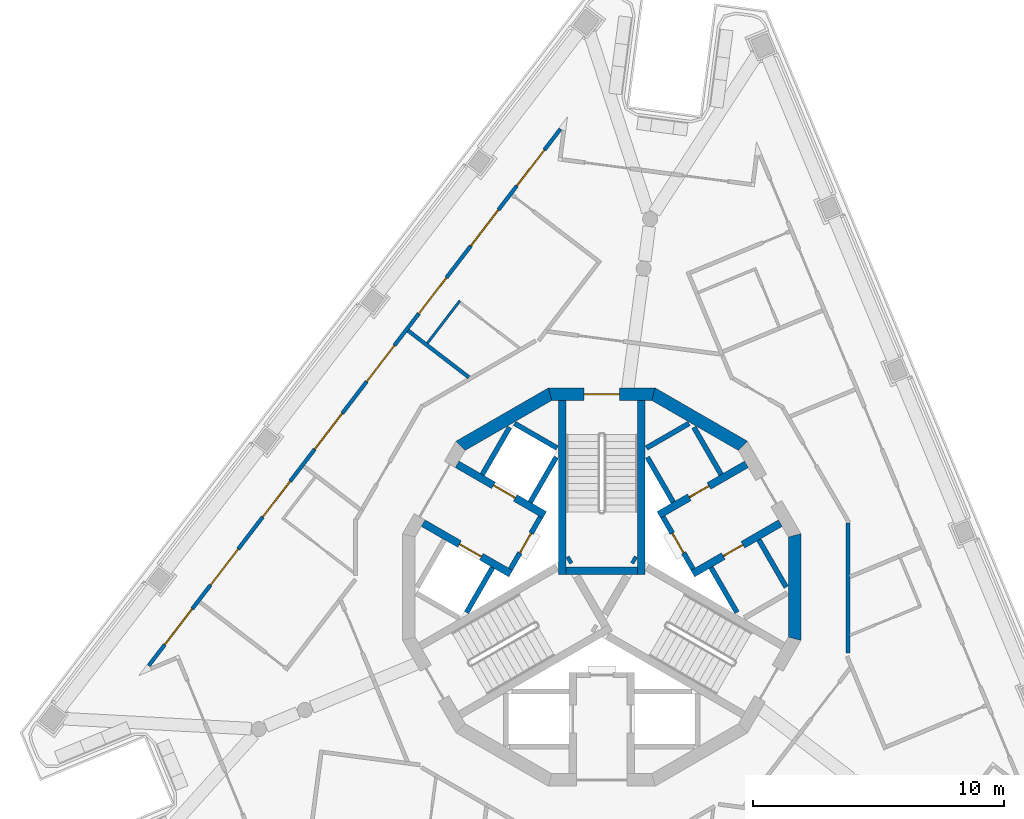
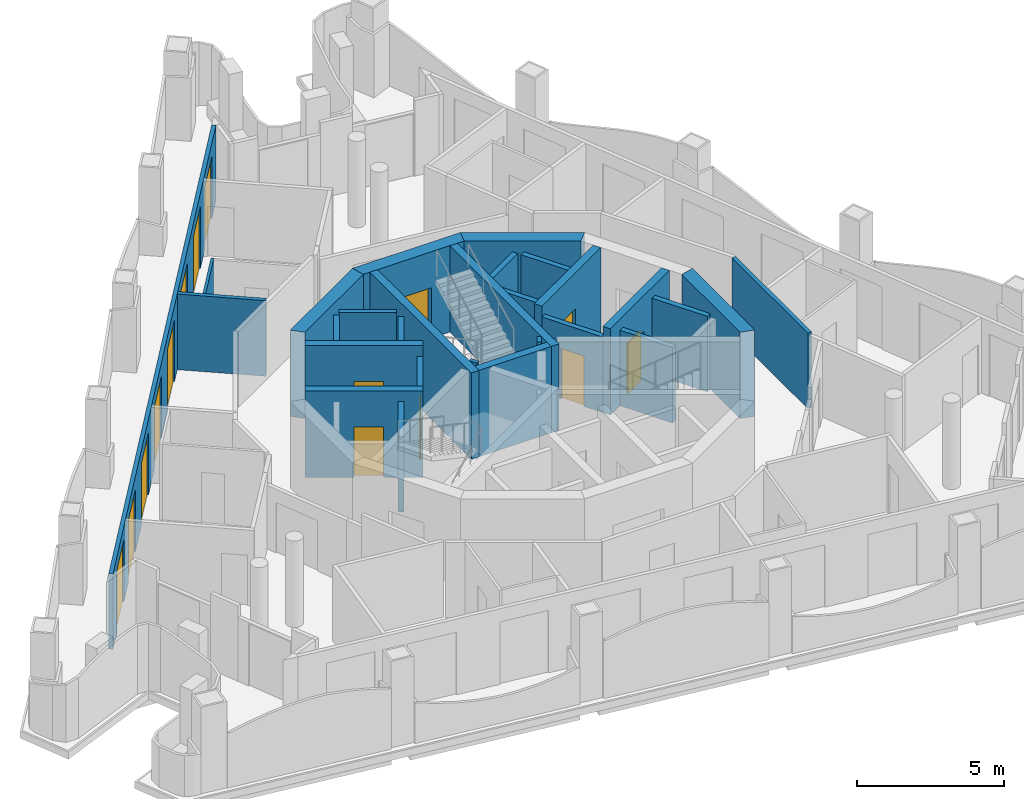
# One storey, part 4 of 12: 28 walls, 15 doors, 15 openings.
"""IFC4 building model written with IfcOpenShell, lengths in metres."""

from ifc_helpers import new_model, si_unit, direction, frame, frame_2d, origin, place, context, subcontext, project, spatial, polyline, rectangle, outline, extrude, material, layer, layer_set, type_object, element, fill, save


model = new_model("IFC4")

# Units and contexts
model_context = context("Model", 3, precision=1e-05, world=origin(), true_north=direction((0.0, 1.0)))
body_context = subcontext(model_context, "Body", "Model", "MODEL_VIEW")
ifc_project = project(units=[si_unit("LENGTHUNIT", "METRE"), si_unit("AREAUNIT", "SQUARE_METRE"), si_unit("VOLUMEUNIT", "CUBIC_METRE"), si_unit("PLANEANGLEUNIT", "RADIAN"), si_unit("MASSUNIT", "GRAM", prefix="KILO")], contexts=[model_context])

# Site, building, storey
site_placement = place(None, origin())
site = spatial("IfcSite", under=ifc_project, at=site_placement, CompositionType="ELEMENT")
building_placement = place(site_placement, origin())
building = spatial("IfcBuilding", under=site, at=building_placement, Name="Trine Commons Tower", CompositionType="ELEMENT")
storey_placement = place(building_placement, frame((0.0, 0.0, 297.0)))
storey = spatial("IfcBuildingStorey", under=building, at=storey_placement, Name="L78", CompositionType="ELEMENT", Elevation=297.0)

# Wall, openings, doors
ifc_material_1 = material(Name="Aluminium-framed insulated wall panel", Category="aluminium")
ifc_layer_1 = layer(ifc_material_1, 0.14990234375)
ifc_layer_set_1 = layer_set([ifc_layer_1], Name="Aluminium-framed insulated wall panel")
wall_type_1 = type_object("IfcWallType", Name="Glazed frame wall 150, EI 60", PredefinedType="SOLIDWALL", material=ifc_layer_set_1)
wall_1_placement = place(storey_placement, frame((61.8876953125, 59.251708984375, 0.0), z_axis=(0.0, 0.0, 1.0), x_axis=(0.608757974151, 0.793355991284, 0.0)))
wall_1 = element("IfcWall", 1, at=wall_1_placement, inside=storey, type_object=wall_type_1, Name="Glazed frame wall F1", PredefinedType="SOLIDWALL", context=body_context, shape_type="SweptSolid", body=[
    extrude(outline(polyline([(0.1494140625, 0.074951171875), (0.1494140625, -0.074951171875), (27.056884765625, -0.074951171875), (27.056884765625, 0.074951171875), (0.1494140625, 0.074951171875)])), origin(), (0.0, 0.0, 1.0), 3.14990234375),
])
opening_1_placement = place(wall_1_placement, frame((1.200439453125, 0.0, 0.0)))
opening_1 = element("IfcOpeningElement", 2, at=opening_1_placement, cuts=wall_1, Name="Opening BD-8F1-01", PredefinedType="OPENING", context=body_context, shape_type="SweptSolid", body=[
    extrude(rectangle(XDim=1.800048828125, YDim=2.60009765625, at=frame_2d((0.89990234375, 1.300048828125))), frame((0.0, 0.0849609375, 0.0), z_axis=(0.0, -1.0, 0.0), x_axis=(1.0, 0.0, 0.0)), (0.0, 0.0, 1.0), 0.169921875),
])
opening_2_placement = place(wall_1_placement, frame((4.201171875, 0.0, 0.0)))
opening_2 = element("IfcOpeningElement", 3, at=opening_2_placement, cuts=wall_1, Name="Opening BD-8F1-02", PredefinedType="OPENING", context=body_context, shape_type="SweptSolid", body=[
    extrude(rectangle(XDim=1.800048828125, YDim=2.60009765625, at=frame_2d((0.89990234375, 1.300048828125))), frame((0.0, 0.0849609375, 0.0), z_axis=(0.0, -1.0, 0.0), x_axis=(1.0, 0.0, 0.0)), (0.0, 0.0, 1.0), 0.169921875),
])
opening_3_placement = place(wall_1_placement, frame((7.60205078125, 0.0, 0.0)))
opening_3 = element("IfcOpeningElement", 4, at=opening_3_placement, cuts=wall_1, Name="Opening BD-8F1-03", PredefinedType="OPENING", context=body_context, shape_type="SweptSolid", body=[
    extrude(rectangle(XDim=1.800048828125, YDim=2.60009765625, at=frame_2d((0.89990234375, 1.300048828125))), frame((0.0, 0.0849609375, 0.0), z_axis=(0.0, -1.0, 0.0), x_axis=(1.0, 0.0, 0.0)), (0.0, 0.0, 1.0), 0.169921875),
])
opening_4_placement = place(wall_1_placement, frame((11.002685546875, 0.0, 0.0)))
opening_4 = element("IfcOpeningElement", 5, at=opening_4_placement, cuts=wall_1, Name="Opening BD-8F1-04", PredefinedType="OPENING", context=body_context, shape_type="SweptSolid", body=[
    extrude(rectangle(XDim=1.800048828125, YDim=2.60009765625, at=frame_2d((0.89990234375, 1.300048828125))), frame((0.0, 0.0849609375, 0.0), z_axis=(0.0, -1.0, 0.0), x_axis=(1.0, 0.0, 0.0)), (0.0, 0.0, 1.0), 0.169921875),
])
opening_5_placement = place(wall_1_placement, frame((14.403564453125, 0.0, 0.0)))
opening_5 = element("IfcOpeningElement", 6, at=opening_5_placement, cuts=wall_1, Name="Opening BD-8F1-05", PredefinedType="OPENING", context=body_context, shape_type="SweptSolid", body=[
    extrude(rectangle(XDim=1.800048828125, YDim=2.60009765625, at=frame_2d((0.89990234375, 1.300048828125))), frame((0.0, 0.0849609375, 0.0), z_axis=(0.0, -1.0, 0.0), x_axis=(1.0, 0.0, 0.0)), (0.0, 0.0, 1.0), 0.169921875),
])
opening_6_placement = place(wall_1_placement, frame((17.804443359375, 0.0, 0.0)))
opening_6 = element("IfcOpeningElement", 7, at=opening_6_placement, cuts=wall_1, Name="Opening BD-8F1-06", PredefinedType="OPENING", context=body_context, shape_type="SweptSolid", body=[
    extrude(rectangle(XDim=1.800048828125, YDim=2.60009765625, at=frame_2d((0.89990234375, 1.300048828125))), frame((0.0, 0.0849609375, 0.0), z_axis=(0.0, -1.0, 0.0), x_axis=(1.0, 0.0, 0.0)), (0.0, 0.0, 1.0), 0.169921875),
])
opening_7_placement = place(wall_1_placement, frame((21.205078125, 0.0, 0.0)))
opening_7 = element("IfcOpeningElement", 8, at=opening_7_placement, cuts=wall_1, Name="Opening BD-8F1-07", PredefinedType="OPENING", context=body_context, shape_type="SweptSolid", body=[
    extrude(rectangle(XDim=1.800048828125, YDim=2.60009765625, at=frame_2d((0.89990234375, 1.300048828125))), frame((0.0, 0.0849609375, 0.0), z_axis=(0.0, -1.0, 0.0), x_axis=(1.0, 0.0, 0.0)), (0.0, 0.0, 1.0), 0.169921875),
])
opening_8_placement = place(wall_1_placement, frame((24.2060546875, 0.0, 0.0)))
opening_8 = element("IfcOpeningElement", 9, at=opening_8_placement, cuts=wall_1, Name="Opening BD-8F1-08", PredefinedType="OPENING", context=body_context, shape_type="SweptSolid", body=[
    extrude(rectangle(XDim=1.800048828125, YDim=2.60009765625, at=frame_2d((0.89990234375, 1.300048828125))), frame((0.0, 0.0849609375, 0.0), z_axis=(0.0, -1.0, 0.0), x_axis=(1.0, 0.0, 0.0)), (0.0, 0.0, 1.0), 0.169921875),
])
ifc_material_2 = material(Name="Anodised aluminium frame with double glazing", Category="aluminium")
door_type_1 = type_object("IfcDoorType", Name="Sliding loggia door 1800x2600", OperationType="SLIDING_TO_LEFT", PredefinedType="DOOR", material=ifc_material_2)
door_1_placement = place(opening_1_placement, origin())
door_1 = element("IfcDoor", 10, at=door_1_placement, inside=storey, type_object=door_type_1, Name="Loggia door F1 1", OperationType="SLIDING_TO_LEFT", OverallHeight=2.60009765625, OverallWidth=1.800048828125, PredefinedType="DOOR", context=body_context, shape_type="SweptSolid", body=[
    extrude(rectangle(XDim=1.800048828125, YDim=2.60009765625, at=frame_2d((0.89990234375, 1.300048828125))), frame((0.0, 0.02490234375, 0.0), z_axis=(0.0, -1.0, 0.0), x_axis=(1.0, 0.0, 0.0)), (0.0, 0.0, 1.0), 0.050048828125),
])
fill(opening_1, door_1)
door_2_placement = place(opening_2_placement, origin())
door_2 = element("IfcDoor", 11, at=door_2_placement, inside=storey, type_object=door_type_1, Name="Loggia door F1 2", OperationType="SLIDING_TO_LEFT", OverallHeight=2.60009765625, OverallWidth=1.800048828125, PredefinedType="DOOR", context=body_context, shape_type="SweptSolid", body=[
    extrude(rectangle(XDim=1.800048828125, YDim=2.60009765625, at=frame_2d((0.89990234375, 1.300048828125))), frame((0.0, 0.02490234375, 0.0), z_axis=(0.0, -1.0, 0.0), x_axis=(1.0, 0.0, 0.0)), (0.0, 0.0, 1.0), 0.050048828125),
])
fill(opening_2, door_2)
door_3_placement = place(opening_3_placement, origin())
door_3 = element("IfcDoor", 12, at=door_3_placement, inside=storey, type_object=door_type_1, Name="Loggia door F1 3", OperationType="SLIDING_TO_LEFT", OverallHeight=2.60009765625, OverallWidth=1.800048828125, PredefinedType="DOOR", context=body_context, shape_type="SweptSolid", body=[
    extrude(rectangle(XDim=1.800048828125, YDim=2.60009765625, at=frame_2d((0.89990234375, 1.300048828125))), frame((0.0, 0.02490234375, 0.0), z_axis=(0.0, -1.0, 0.0), x_axis=(1.0, 0.0, 0.0)), (0.0, 0.0, 1.0), 0.050048828125),
])
fill(opening_3, door_3)
door_4_placement = place(opening_4_placement, origin())
door_4 = element("IfcDoor", 13, at=door_4_placement, inside=storey, type_object=door_type_1, Name="Loggia door F1 4", OperationType="SLIDING_TO_LEFT", OverallHeight=2.60009765625, OverallWidth=1.800048828125, PredefinedType="DOOR", context=body_context, shape_type="SweptSolid", body=[
    extrude(rectangle(XDim=1.800048828125, YDim=2.60009765625, at=frame_2d((0.89990234375, 1.300048828125))), frame((0.0, 0.02490234375, 0.0), z_axis=(0.0, -1.0, 0.0), x_axis=(1.0, 0.0, 0.0)), (0.0, 0.0, 1.0), 0.050048828125),
])
fill(opening_4, door_4)
door_5_placement = place(opening_5_placement, origin())
door_5 = element("IfcDoor", 14, at=door_5_placement, inside=storey, type_object=door_type_1, Name="Loggia door F1 5", OperationType="SLIDING_TO_LEFT", OverallHeight=2.60009765625, OverallWidth=1.800048828125, PredefinedType="DOOR", context=body_context, shape_type="SweptSolid", body=[
    extrude(rectangle(XDim=1.800048828125, YDim=2.60009765625, at=frame_2d((0.89990234375, 1.300048828125))), frame((0.0, 0.02490234375, 0.0), z_axis=(0.0, -1.0, 0.0), x_axis=(1.0, 0.0, 0.0)), (0.0, 0.0, 1.0), 0.050048828125),
])
fill(opening_5, door_5)
door_6_placement = place(opening_6_placement, origin())
door_6 = element("IfcDoor", 15, at=door_6_placement, inside=storey, type_object=door_type_1, Name="Loggia door F1 6", OperationType="SLIDING_TO_LEFT", OverallHeight=2.60009765625, OverallWidth=1.800048828125, PredefinedType="DOOR", context=body_context, shape_type="SweptSolid", body=[
    extrude(rectangle(XDim=1.800048828125, YDim=2.60009765625, at=frame_2d((0.89990234375, 1.300048828125))), frame((0.0, 0.02490234375, 0.0), z_axis=(0.0, -1.0, 0.0), x_axis=(1.0, 0.0, 0.0)), (0.0, 0.0, 1.0), 0.050048828125),
])
fill(opening_6, door_6)
door_7_placement = place(opening_7_placement, origin())
door_7 = element("IfcDoor", 16, at=door_7_placement, inside=storey, type_object=door_type_1, Name="Loggia door F1 7", OperationType="SLIDING_TO_LEFT", OverallHeight=2.60009765625, OverallWidth=1.800048828125, PredefinedType="DOOR", context=body_context, shape_type="SweptSolid", body=[
    extrude(rectangle(XDim=1.800048828125, YDim=2.60009765625, at=frame_2d((0.89990234375, 1.300048828125))), frame((0.0, 0.02490234375, 0.0), z_axis=(0.0, -1.0, 0.0), x_axis=(1.0, 0.0, 0.0)), (0.0, 0.0, 1.0), 0.050048828125),
])
fill(opening_7, door_7)
door_8_placement = place(opening_8_placement, origin())
door_8 = element("IfcDoor", 17, at=door_8_placement, inside=storey, type_object=door_type_1, Name="Loggia door F1 8", OperationType="SLIDING_TO_LEFT", OverallHeight=2.60009765625, OverallWidth=1.800048828125, PredefinedType="DOOR", context=body_context, shape_type="SweptSolid", body=[
    extrude(rectangle(XDim=1.800048828125, YDim=2.60009765625, at=frame_2d((0.89990234375, 1.300048828125))), frame((0.0, 0.02490234375, 0.0), z_axis=(0.0, -1.0, 0.0), x_axis=(1.0, 0.0, 0.0)), (0.0, 0.0, 1.0), 0.050048828125),
])
fill(opening_8, door_8)

# Wall, opening, door
ifc_material_3 = material(Name="Fire-rated gypsum shaft wall system")
ifc_layer_2 = layer(ifc_material_3, 0.199951171875)
ifc_layer_set_2 = layer_set([ifc_layer_2], Name="Fire-rated gypsum shaft wall system")
wall_type_2 = type_object("IfcWallType", Name="Lobby end wall 200 mm, EI 120", PredefinedType="PARTITIONING", material=ifc_layer_set_2)
wall_2_placement = place(storey_placement, frame((77.569091796875, 65.2890625, 0.0), z_axis=(0.0, 0.0, 1.0), x_axis=(-0.50012165622, -0.865955154139, 0.0)))
wall_2 = element("IfcWall", 18, at=wall_2_placement, inside=storey, type_object=wall_type_2, Name="Lobby end wall L78", PredefinedType="PARTITIONING", context=body_context, shape_type="SweptSolid", body=[
    extrude(rectangle(XDim=2.39990234375, YDim=0.199951171875, at=frame_2d((1.199951171875, 0.0))), origin(), (0.0, 0.0, 1.0), 3.14990234375),
])
opening_9_placement = place(wall_2_placement, frame((0.749755859375, 0.0, 0.0)))
opening_9 = element("IfcOpeningElement", 19, at=opening_9_placement, cuts=wall_2, Name="Opening K18.07", PredefinedType="OPENING", context=body_context, shape_type="SweptSolid", body=[
    extrude(rectangle(XDim=0.89990234375, YDim=2.10009765625, at=frame_2d((0.449951171875, 1.050048828125))), frame((0.0, 0.10986328125, 0.0), z_axis=(0.0, -1.0, 0.0), x_axis=(1.0, 0.0, 0.0)), (0.0, 0.0, 1.0), 0.219970703125),
])
ifc_material_4 = material(Name="Steel door leaf, fire-rated", Category="steel")
door_type_2 = type_object("IfcDoorType", Name="Riser access door, single leaf 900 x 2100, FD60", OperationType="SINGLE_SWING_LEFT", PredefinedType="DOOR", material=ifc_material_4)
door_9_placement = place(opening_9_placement, frame((0.89990234375, 0.0, 0.0), z_axis=(0.0, 0.0, 1.0), x_axis=(-1.0, 0.0, 0.0)))
door_9 = element("IfcDoor", 20, at=door_9_placement, inside=storey, type_object=door_type_2, Name="Riser door, Mechanical riser L78", OperationType="SINGLE_SWING_RIGHT", OverallHeight=2.10009765625, OverallWidth=0.89990234375, PredefinedType="DOOR", context=body_context, shape_type="SweptSolid", body=[
    extrude(rectangle(XDim=0.89990234375, YDim=2.10009765625, at=frame_2d((0.449951171875, 1.050048828125))), frame((0.0, 0.02490234375, 0.0), z_axis=(0.0, -1.0, 0.0), x_axis=(1.0, 0.0, 0.0)), (0.0, 0.0, 1.0), 0.050048828125),
])
fill(opening_9, door_9)

wall_3_placement = place(storey_placement, frame((83.631103515625, 63.2109375, 0.0), z_axis=(0.0, 0.0, 1.0), x_axis=(-0.50012165622, 0.865955154139, 0.0)))
wall_3 = element("IfcWall", 21, at=wall_3_placement, inside=storey, type_object=wall_type_2, Name="Lobby end wall L78", PredefinedType="PARTITIONING", context=body_context, shape_type="SweptSolid", body=[
    extrude(rectangle(XDim=2.39990234375, YDim=0.199951171875, at=frame_2d((1.199951171875, 0.0))), origin(), (0.0, 0.0, 1.0), 3.14990234375),
])
opening_10_placement = place(wall_3_placement, frame((0.749755859375, 0.0, 0.0)))
opening_10 = element("IfcOpeningElement", 22, at=opening_10_placement, cuts=wall_3, Name="Opening K18.05", PredefinedType="OPENING", context=body_context, shape_type="SweptSolid", body=[
    extrude(rectangle(XDim=0.89990234375, YDim=2.10009765625, at=frame_2d((0.449951171875, 1.050048828125))), frame((0.0, 0.10986328125, 0.0), z_axis=(0.0, -1.0, 0.0), x_axis=(1.0, 0.0, 0.0)), (0.0, 0.0, 1.0), 0.219970703125),
])
door_10_placement = place(opening_10_placement, frame((0.89990234375, 0.0, 0.0), z_axis=(0.0, 0.0, 1.0), x_axis=(-1.0, 0.0, 0.0)))
door_10 = element("IfcDoor", 23, at=door_10_placement, inside=storey, type_object=door_type_2, Name="Riser door, Electrical riser L78", OperationType="SINGLE_SWING_LEFT", OverallHeight=2.10009765625, OverallWidth=0.89990234375, PredefinedType="DOOR", context=body_context, shape_type="SweptSolid", body=[
    extrude(rectangle(XDim=0.89990234375, YDim=2.10009765625, at=frame_2d((0.449951171875, 1.050048828125))), frame((0.0, 0.02490234375, 0.0), z_axis=(0.0, -1.0, 0.0), x_axis=(1.0, 0.0, 0.0)), (0.0, 0.0, 1.0), 0.050048828125),
])
fill(opening_10, door_10)

ifc_material_5 = material(Name="Concrete C50/60", Category="concrete")
ifc_layer_3 = layer(ifc_material_5, 0.300048828125)
ifc_layer_set_3 = layer_set([ifc_layer_3], Name="Concrete C50/60")
wall_type_3 = type_object("IfcWallType", Name="RC shear wall 300 mm, C50/60", PredefinedType="SHEAR", material=ifc_layer_set_3)
wall_4_placement = place(storey_placement, frame((76.381103515625, 63.031005859375, 0.0), z_axis=(0.0, 0.0, 1.0), x_axis=(-0.866071331441, 0.499920442526, 0.0)))
wall_4 = element("IfcWall", 24, at=wall_4_placement, inside=storey, type_object=wall_type_3, Name="Core cross wall SWD-01 L78", PredefinedType="SHEAR", context=body_context, shape_type="SweptSolid", body=[
    extrude(rectangle(XDim=4.020751953125, YDim=0.300048828125, at=frame_2d((2.01025390625, 0.0))), origin(), (0.0, 0.0, 1.0), 3.60009765625),
])
opening_11_placement = place(wall_4_placement, frame((1.350341796875, 0.0, 0.0)))
opening_11 = element("IfcOpeningElement", 25, at=opening_11_placement, cuts=wall_4, Name="Opening LD7", PredefinedType="OPENING", context=body_context, shape_type="SweptSolid", body=[
    extrude(rectangle(XDim=1.0, YDim=2.10009765625, at=frame_2d((0.5, 1.050048828125))), frame((0.0, 0.159912109375, 0.0), z_axis=(0.0, -1.0, 0.0), x_axis=(1.0, 0.0, 0.0)), (0.0, 0.0, 1.0), 0.320068359375),
])
ifc_material_6 = material(Name="Stainless steel sliding door leaves", Category="steel")
door_type_3 = type_object("IfcDoorType", Name="Lift landing door, centre-opening sliding 1000 x 2100, FD90", OperationType="DOUBLE_DOOR_SLIDING", PredefinedType="DOOR", material=ifc_material_6)
door_11_placement = place(opening_11_placement, origin())
door_11 = element("IfcDoor", 26, at=door_11_placement, inside=storey, type_object=door_type_3, Name="Lift landing door HR3 L78", OperationType="DOUBLE_DOOR_SLIDING", OverallHeight=2.10009765625, OverallWidth=1.0, PredefinedType="DOOR", context=body_context, shape_type="SweptSolid", body=[
    extrude(rectangle(XDim=1.0, YDim=2.10009765625, at=frame_2d((0.5, 1.050048828125))), frame((0.0, 0.02490234375, 0.0), z_axis=(0.0, -1.0, 0.0), x_axis=(1.0, 0.0, 0.0)), (0.0, 0.0, 1.0), 0.050048828125),
])
fill(opening_11, door_11)

wall_5_placement = place(storey_placement, frame((77.73095703125, 65.368896484375, 0.0), z_axis=(0.0, 0.0, 1.0), x_axis=(-0.866056154689, 0.499946734088, 0.0)))
wall_5 = element("IfcWall", 27, at=wall_5_placement, inside=storey, type_object=wall_type_3, Name="Core cross wall SWD-02 L78", PredefinedType="SHEAR", context=body_context, shape_type="SweptSolid", body=[
    extrude(rectangle(XDim=4.0205078125, YDim=0.300048828125, at=frame_2d((2.01025390625, 0.0))), origin(), (0.0, 0.0, 1.0), 3.60009765625),
])
opening_12_placement = place(wall_5_placement, frame((1.350341796875, 0.0, 0.0)))
opening_12 = element("IfcOpeningElement", 28, at=opening_12_placement, cuts=wall_5, Name="Opening LD8", PredefinedType="OPENING", context=body_context, shape_type="SweptSolid", body=[
    extrude(rectangle(XDim=1.0, YDim=2.10009765625, at=frame_2d((0.5, 1.050048828125))), frame((0.0, 0.159912109375, 0.0), z_axis=(0.0, -1.0, 0.0), x_axis=(1.0, 0.0, 0.0)), (0.0, 0.0, 1.0), 0.320068359375),
])
door_12_placement = place(opening_12_placement, origin())
door_12 = element("IfcDoor", 29, at=door_12_placement, inside=storey, type_object=door_type_3, Name="Lift landing door HR4 L78", OperationType="DOUBLE_DOOR_SLIDING", OverallHeight=2.10009765625, OverallWidth=1.0, PredefinedType="DOOR", context=body_context, shape_type="SweptSolid", body=[
    extrude(rectangle(XDim=1.0, YDim=2.10009765625, at=frame_2d((0.5, 1.050048828125))), frame((0.0, 0.02490234375, 0.0), z_axis=(0.0, -1.0, 0.0), x_axis=(1.0, 0.0, 0.0)), (0.0, 0.0, 1.0), 0.050048828125),
])
fill(opening_12, door_12)

wall_6_placement = place(storey_placement, frame((82.26904296875, 65.368896484375, 0.0), z_axis=(0.0, 0.0, 1.0), x_axis=(0.866056154689, 0.499946734088, 0.0)))
wall_6 = element("IfcWall", 30, at=wall_6_placement, inside=storey, type_object=wall_type_3, Name="Core cross wall SWD-05 L78", PredefinedType="SHEAR", context=body_context, shape_type="SweptSolid", body=[
    extrude(rectangle(XDim=4.0205078125, YDim=0.300048828125, at=frame_2d((2.01025390625, 0.0))), origin(), (0.0, 0.0, 1.0), 3.60009765625),
])
opening_13_placement = place(wall_6_placement, frame((1.400390625, 0.0, 0.0)))
opening_13 = element("IfcOpeningElement", 31, at=opening_13_placement, cuts=wall_6, Name="Opening K18.10", PredefinedType="OPENING", context=body_context, shape_type="SweptSolid", body=[
    extrude(rectangle(XDim=0.89990234375, YDim=2.10009765625, at=frame_2d((0.449951171875, 1.050048828125))), frame((0.0, 0.159912109375, 0.0), z_axis=(0.0, -1.0, 0.0), x_axis=(1.0, 0.0, 0.0)), (0.0, 0.0, 1.0), 0.320068359375),
])
door_type_4 = type_object("IfcDoorType", Name="Core room door, single leaf 900 x 2100, FD30S", OperationType="SINGLE_SWING_LEFT", PredefinedType="DOOR", material=ifc_material_4)
door_13_placement = place(opening_13_placement, origin())
door_13 = element("IfcDoor", 32, at=door_13_placement, inside=storey, type_object=door_type_4, Name="Door to Linen store L78", OperationType="SINGLE_SWING_LEFT", OverallHeight=2.10009765625, OverallWidth=0.89990234375, PredefinedType="DOOR", context=body_context, shape_type="SweptSolid", body=[
    extrude(rectangle(XDim=0.89990234375, YDim=2.10009765625, at=frame_2d((0.449951171875, 1.050048828125))), frame((0.0, 0.02490234375, 0.0), z_axis=(0.0, -1.0, 0.0), x_axis=(1.0, 0.0, 0.0)), (0.0, 0.0, 1.0), 0.050048828125),
])
fill(opening_13, door_13)

wall_7_placement = place(storey_placement, frame((83.618896484375, 63.031005859375, 0.0), z_axis=(0.0, 0.0, 1.0), x_axis=(0.866071331441, 0.499920442526, 0.0)))
wall_7 = element("IfcWall", 33, at=wall_7_placement, inside=storey, type_object=wall_type_3, Name="Core cross wall SWD-06 L78", PredefinedType="SHEAR", context=body_context, shape_type="SweptSolid", body=[
    extrude(rectangle(XDim=4.020751953125, YDim=0.300048828125, at=frame_2d((2.01025390625, 0.0))), origin(), (0.0, 0.0, 1.0), 3.60009765625),
])
opening_14_placement = place(wall_7_placement, frame((1.400390625, 0.0, 0.0)))
opening_14 = element("IfcOpeningElement", 34, at=opening_14_placement, cuts=wall_7, Name="Opening K18.11", PredefinedType="OPENING", context=body_context, shape_type="SweptSolid", body=[
    extrude(rectangle(XDim=0.89990234375, YDim=2.10009765625, at=frame_2d((0.449951171875, 1.050048828125))), frame((0.0, 0.159912109375, 0.0), z_axis=(0.0, -1.0, 0.0), x_axis=(1.0, 0.0, 0.0)), (0.0, 0.0, 1.0), 0.320068359375),
])
door_14_placement = place(opening_14_placement, frame((0.89990234375, 0.0, 0.0), z_axis=(0.0, 0.0, 1.0), x_axis=(-1.0, 0.0, 0.0)))
door_14 = element("IfcDoor", 35, at=door_14_placement, inside=storey, type_object=door_type_4, Name="Door to Pantry L78", OperationType="SINGLE_SWING_LEFT", OverallHeight=2.10009765625, OverallWidth=0.89990234375, PredefinedType="DOOR", context=body_context, shape_type="SweptSolid", body=[
    extrude(rectangle(XDim=0.89990234375, YDim=2.10009765625, at=frame_2d((0.449951171875, 1.050048828125))), frame((0.0, 0.02490234375, 0.0), z_axis=(0.0, -1.0, 0.0), x_axis=(1.0, 0.0, 0.0)), (0.0, 0.0, 1.0), 0.050048828125),
])
fill(opening_14, door_14)

# Walls
wall_8_placement = place(storey_placement, frame((78.425048828125, 63.0009765625, 0.0), z_axis=(0.0, 0.0, 1.0), x_axis=(0.0, 1.0, 0.0)))
element("IfcWall", 36, at=wall_8_placement, inside=storey, type_object=wall_type_3, Name="Core cross wall SWD-08 L78", PredefinedType="SHEAR", context=body_context, shape_type="SweptSolid", body=[
    extrude(rectangle(XDim=6.919921875, YDim=0.300048828125, at=frame_2d((3.4599609375, 0.0))), origin(), (0.0, 0.0, 1.0), 3.60009765625),
])
for number, where, z_axis, x_axis, name in (
    (37, (78.779052734375, 63.614013671875, 0.0), (0.0, 0.0, 1.0), (-0.867737973955, -0.497021939713, 0.0), "Core cross wall SWD-09 L78"),
    (38, (81.220947265625, 63.614013671875, 0.0), (0.0, 0.0, 1.0), (0.867737973955, -0.497021939713, 0.0), "Core cross wall SWD-15 L78"),
):
    element("IfcWall", number, at=place(storey_placement, frame(where, z_axis=z_axis, x_axis=x_axis)), inside=storey, type_object=wall_type_3, Name=name, PredefinedType="SHEAR", context=body_context, shape_type="SweptSolid", body=[
        extrude(rectangle(XDim=0.14892578125, YDim=0.300048828125, at=frame_2d((0.074462890625, 0.0))), origin(), (0.0, 0.0, 1.0), 3.60009765625),
    ])
wall_9_placement = place(storey_placement, frame((81.425048828125, 63.15087890625, 0.0), z_axis=(0.0, 0.0, 1.0), x_axis=(-1.0, 0.0, 0.0)))
element("IfcWall", 39, at=wall_9_placement, inside=storey, type_object=wall_type_3, Name="Core cross wall SWD-16 L78", PredefinedType="SHEAR", context=body_context, shape_type="SweptSolid", body=[
    extrude(rectangle(XDim=2.85009765625, YDim=0.300048828125, at=frame_2d((1.425048828125, 0.0))), origin(), (0.0, 0.0, 1.0), 3.60009765625),
])
wall_10_placement = place(storey_placement, frame((81.574951171875, 63.0009765625, 0.0), z_axis=(0.0, 0.0, 1.0), x_axis=(0.0, 1.0, 0.0)))
element("IfcWall", 40, at=wall_10_placement, inside=storey, type_object=wall_type_3, Name="Core cross wall SWD-17 L78", PredefinedType="SHEAR", context=body_context, shape_type="SweptSolid", body=[
    extrude(rectangle(XDim=6.919921875, YDim=0.300048828125, at=frame_2d((3.4599609375, 0.0))), origin(), (0.0, 0.0, 1.0), 3.60009765625),
])
ifc_layer_4 = layer(ifc_material_5, 0.5)
ifc_layer_set_4 = layer_set([ifc_layer_4], Name="Concrete C50/60")
wall_type_4 = type_object("IfcWallType", Name="RC shear wall 500 mm, C50/60", PredefinedType="SHEAR", material=ifc_layer_set_4)
for number, where, z_axis, x_axis, name in (
    (41, (87.670654296875, 60.377685546875, 0.0), (0.0, 0.0, 1.0), (0.0, 1.0, 0.0), "Core wall CWH-01 L78"),
    (42, (85.67333984375, 68.081787109375, 0.0), (0.0, 0.0, 1.0), (-0.866029463428, 0.499992968425, 0.0), "Core wall CWH-03 L78"),
):
    element("IfcWall", number, at=place(storey_placement, frame(where, z_axis=z_axis, x_axis=x_axis)), inside=storey, type_object=wall_type_4, Name=name, PredefinedType="SHEAR", context=body_context, shape_type="SweptSolid", body=[
        extrude(outline(polyline([(0.0, -0.25), (4.24462890625, -0.25), (4.110595703125, 0.25), (0.134033203125, 0.25), (0.0, -0.25)])), origin(), (0.0, 0.0, 1.0), 3.60009765625),
    ])

# Wall, opening, door
wall_11_placement = place(storey_placement, frame((82.122314453125, 70.170654296875, 0.0), z_axis=(0.0, 0.0, 1.0), x_axis=(-1.0, 0.0, 0.0)))
wall_11 = element("IfcWall", 43, at=wall_11_placement, inside=storey, type_object=wall_type_4, Name="Core wall CWH-04 L78", PredefinedType="SHEAR", context=body_context, shape_type="SweptSolid", body=[
    extrude(outline(polyline([(0.0, -0.25), (4.24462890625, -0.25), (4.110595703125, 0.25), (0.134033203125, 0.25), (0.0, -0.25)])), origin(), (0.0, 0.0, 1.0), 3.60009765625),
])
opening_15_placement = place(wall_11_placement, frame((1.42236328125, 0.0, 0.0)))
opening_15 = element("IfcOpeningElement", 44, at=opening_15_placement, cuts=wall_11, Name="Opening K18.01", PredefinedType="OPENING", context=body_context, shape_type="SweptSolid", body=[
    extrude(rectangle(XDim=1.39990234375, YDim=2.10009765625, at=frame_2d((0.699951171875, 1.050048828125))), frame((0.0, 0.260009765625, 0.0), z_axis=(0.0, -1.0, 0.0), x_axis=(1.0, 0.0, 0.0)), (0.0, 0.0, 1.0), 0.52001953125),
])
ifc_material_7 = material(Name="Steel door leaves, fire-rated", Category="steel")
door_type_5 = type_object("IfcDoorType", Name="Stair door, double leaf 1400 x 2100, FD90", OperationType="DOUBLE_DOOR_SINGLE_SWING", PredefinedType="DOOR", material=ifc_material_7)
door_15_placement = place(opening_15_placement, origin())
door_15 = element("IfcDoor", 45, at=door_15_placement, inside=storey, type_object=door_type_5, Name="Stair door to Exit stair ST1D L78", OperationType="DOUBLE_DOOR_SINGLE_SWING", OverallHeight=2.10009765625, OverallWidth=1.39990234375, PredefinedType="DOOR", context=body_context, shape_type="SweptSolid", body=[
    extrude(rectangle(XDim=1.39990234375, YDim=2.10009765625, at=frame_2d((0.699951171875, 1.050048828125))), frame((0.0, 0.02490234375, 0.0), z_axis=(0.0, -1.0, 0.0), x_axis=(1.0, 0.0, 0.0)), (0.0, 0.0, 1.0), 0.050048828125),
])
fill(opening_15, door_15)

# Walls
wall_12_placement = place(storey_placement, frame((78.002685546875, 70.2041015625, 0.0), z_axis=(0.0, 0.0, 1.0), x_axis=(-0.866029463428, -0.499992968425, 0.0)))
element("IfcWall", 46, at=wall_12_placement, inside=storey, type_object=wall_type_4, Name="Core wall CWH-05 L78", PredefinedType="SHEAR", context=body_context, shape_type="SweptSolid", body=[
    extrude(outline(polyline([(0.0, -0.25), (4.24462890625, -0.25), (4.110595703125, 0.25), (0.134033203125, 0.25), (0.0, -0.25)])), origin(), (0.0, 0.0, 1.0), 3.60009765625),
])
ifc_layer_5 = layer(ifc_material_3, 0.199951171875)
ifc_layer_set_5 = layer_set([ifc_layer_5], Name="Fire-rated gypsum shaft wall system")
wall_type_5 = type_object("IfcWallType", Name="Shaft wall 200 mm, EI 120", PredefinedType="PARTITIONING", material=ifc_layer_set_5)
wall_13_placement = place(storey_placement, frame((75.2509765625, 66.97412109375, 0.0), z_axis=(0.0, 0.0, 1.0), x_axis=(0.500060114735, 0.865990693744, 0.0)))
element("IfcWall", 47, at=wall_13_placement, inside=storey, type_object=wall_type_5, Name="Shaft wall L78", PredefinedType="PARTITIONING", context=body_context, shape_type="SweptSolid", body=[
    extrude(rectangle(XDim=2.169677734375, YDim=0.199951171875, at=frame_2d((1.0849609375, 0.0))), origin(), (0.0, 0.0, 1.0), 3.14990234375),
])
wall_14_placement = place(storey_placement, frame((75.656005859375, 63.27587890625, 0.0), z_axis=(0.0, 0.0, 1.0), x_axis=(-0.500271688072, -0.86586848777, 0.0)))
element("IfcWall", 48, at=wall_14_placement, inside=storey, type_object=wall_type_5, Name="Shaft wall L78", PredefinedType="PARTITIONING", context=body_context, shape_type="SweptSolid", body=[
    extrude(rectangle(XDim=2.064697265625, YDim=0.199951171875, at=frame_2d((1.0322265625, 0.0))), origin(), (0.0, 0.0, 1.0), 3.14990234375),
])
wall_15_placement = place(storey_placement, frame((77.156005859375, 65.8740234375, 0.0), z_axis=(0.0, 0.0, 1.0), x_axis=(0.499865770674, 0.866102887253, 0.0)))
element("IfcWall", 49, at=wall_15_placement, inside=storey, type_object=wall_type_5, Name="Shaft wall L78", PredefinedType="PARTITIONING", context=body_context, shape_type="SweptSolid", body=[
    extrude(rectangle(XDim=2.064453125, YDim=0.199951171875, at=frame_2d((1.0322265625, 0.0))), origin(), (0.0, 0.0, 1.0), 3.14990234375),
])
for number, where, z_axis, x_axis, name in (
    (50, (78.22509765625, 68.028076171875, 0.0), (0.0, 0.0, 1.0), (-0.866071410914, 0.499920304846, 0.0), "Shaft wall L78"),
    (51, (81.77490234375, 68.028076171875, 0.0), (0.0, 0.0, 1.0), (0.866071410914, 0.499920304846, 0.0), "Shaft wall L78"),
):
    element("IfcWall", number, at=place(storey_placement, frame(where, z_axis=z_axis, x_axis=x_axis)), inside=storey, type_object=wall_type_5, Name=name, PredefinedType="PARTITIONING", context=body_context, shape_type="SweptSolid", body=[
        extrude(rectangle(XDim=1.958251953125, YDim=0.199951171875, at=frame_2d((0.97900390625, 0.0))), origin(), (0.0, 0.0, 1.0), 3.14990234375),
    ])
wall_16_placement = place(storey_placement, frame((82.843994140625, 65.8740234375, 0.0), z_axis=(0.0, 0.0, 1.0), x_axis=(-0.499865770674, 0.866102887253, 0.0)))
element("IfcWall", 52, at=wall_16_placement, inside=storey, type_object=wall_type_5, Name="Shaft wall L78", PredefinedType="PARTITIONING", context=body_context, shape_type="SweptSolid", body=[
    extrude(rectangle(XDim=2.064453125, YDim=0.199951171875, at=frame_2d((1.0322265625, 0.0))), origin(), (0.0, 0.0, 1.0), 3.14990234375),
])
wall_17_placement = place(storey_placement, frame((84.343994140625, 63.27587890625, 0.0), z_axis=(0.0, 0.0, 1.0), x_axis=(0.500271688072, -0.86586848777, 0.0)))
element("IfcWall", 53, at=wall_17_placement, inside=storey, type_object=wall_type_5, Name="Shaft wall L78", PredefinedType="PARTITIONING", context=body_context, shape_type="SweptSolid", body=[
    extrude(rectangle(XDim=2.064697265625, YDim=0.199951171875, at=frame_2d((1.0322265625, 0.0))), origin(), (0.0, 0.0, 1.0), 3.14990234375),
])
wall_18_placement = place(storey_placement, frame((84.7490234375, 66.97412109375, 0.0), z_axis=(0.0, 0.0, 1.0), x_axis=(-0.500060114735, 0.865990693744, 0.0)))
element("IfcWall", 54, at=wall_18_placement, inside=storey, type_object=wall_type_5, Name="Shaft wall L78", PredefinedType="PARTITIONING", context=body_context, shape_type="SweptSolid", body=[
    extrude(rectangle(XDim=2.169677734375, YDim=0.199951171875, at=frame_2d((1.0849609375, 0.0))), origin(), (0.0, 0.0, 1.0), 3.14990234375),
])
wall_19_placement = place(storey_placement, frame((86.2490234375, 64.3759765625, 0.0), z_axis=(0.0, 0.0, 1.0), x_axis=(0.499865263774, -0.866103179807, 0.0)))
element("IfcWall", 55, at=wall_19_placement, inside=storey, type_object=wall_type_5, Name="Shaft wall L78", PredefinedType="PARTITIONING", context=body_context, shape_type="SweptSolid", body=[
    extrude(rectangle(XDim=2.17041015625, YDim=0.199951171875, at=frame_2d((1.085205078125, 0.0))), origin(), (0.0, 0.0, 1.0), 3.14990234375),
])
ifc_material_8 = material(Name="Gypsum plasterboard on steel stud", Category="steel")
ifc_layer_6 = layer(ifc_material_8, 0.14990234375)
ifc_layer_set_6 = layer_set([ifc_layer_6], Name="Gypsum plasterboard on steel stud")
wall_type_6 = type_object("IfcWallType", Name="Unit and corridor wall 150 mm, EI 60", PredefinedType="PARTITIONING", material=ifc_layer_set_6)
wall_20_placement = place(storey_placement, frame((72.298583984375, 72.696533203125, 0.0), z_axis=(0.0, 0.0, 1.0), x_axis=(0.793299429492, -0.60883168049, 0.0)))
element("IfcWall", 56, at=wall_20_placement, inside=storey, type_object=wall_type_6, Name="Partition 015", PredefinedType="PARTITIONING", context=body_context, shape_type="SweptSolid", body=[
    extrude(rectangle(XDim=3.048095703125, YDim=0.14990234375, at=frame_2d((1.52392578125, 0.0))), origin(), (0.0, 0.0, 1.0), 3.14990234375),
])
wall_21_placement = place(storey_placement, frame((89.7958984375, 59.875, 0.0), z_axis=(0.0, 0.0, 1.0), x_axis=(0.0, 1.0, 0.0)))
element("IfcWall", 57, at=wall_21_placement, inside=storey, type_object=wall_type_6, Name="Partition 053", PredefinedType="PARTITIONING", context=body_context, shape_type="SweptSolid", body=[
    extrude(rectangle(XDim=5.175048828125, YDim=0.14990234375, at=frame_2d((2.58740234375, 0.0))), origin(), (0.0, 0.0, 1.0), 3.14990234375),
])
ifc_layer_7 = layer(ifc_material_8, 0.10009765625)
ifc_layer_set_7 = layer_set([ifc_layer_7], Name="Gypsum plasterboard on steel stud")
wall_type_7 = type_object("IfcWallType", Name="Unit partition 100 mm, no rating", PredefinedType="PARTITIONING", material=ifc_layer_set_7)
wall_22_placement = place(storey_placement, frame((73.066650390625, 72.201416015625, 0.0), z_axis=(0.0, 0.0, 1.0), x_axis=(0.608405008963, 0.793626703853, 0.0)))
element("IfcWall", 58, at=wall_22_placement, inside=storey, type_object=wall_type_7, Name="Partition 020", PredefinedType="PARTITIONING", context=body_context, shape_type="SweptSolid", body=[
    extrude(rectangle(XDim=2.124755859375, YDim=0.10009765625, at=frame_2d((1.0625, 0.0))), origin(), (0.0, 0.0, 1.0), 3.14990234375),
])

save(model, "model.ifc")
